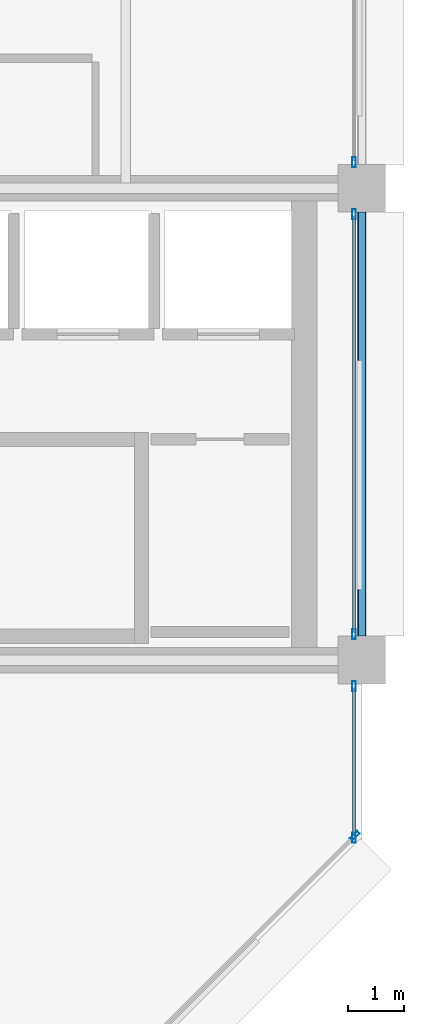
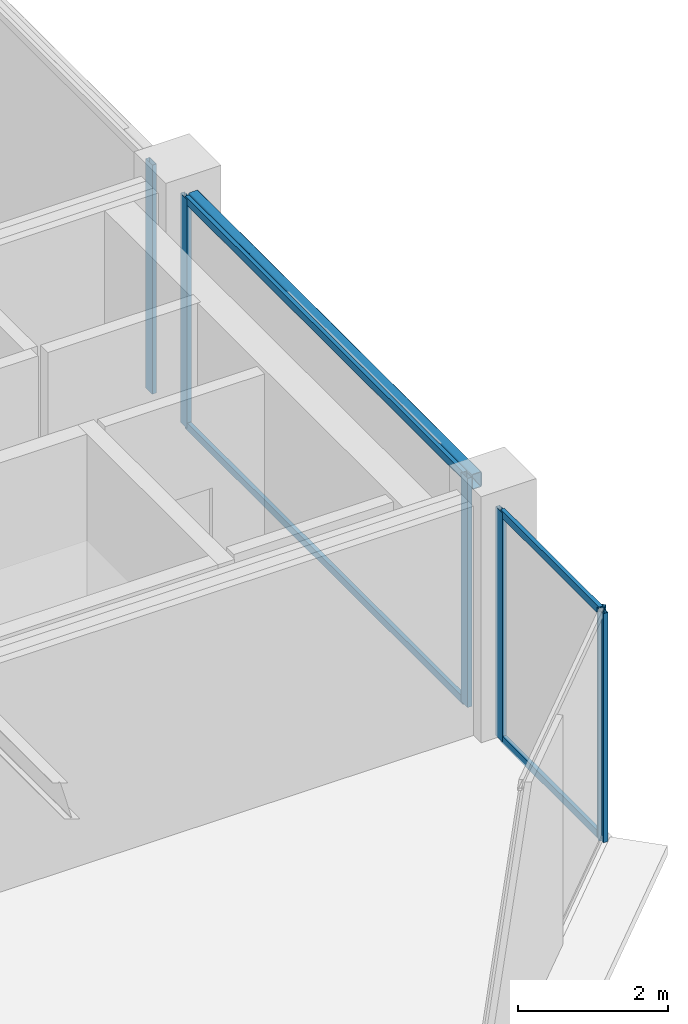
# One storey, part 14 of 25: 10 members, 1 beam, 4 elements without a shape of their own.
"""IFC4 building model written with IfcOpenShell, lengths in metres."""

from ifc_helpers import new_model, si_unit, direction, frame, origin, origin_2d, place, context, subcontext, project, spatial, hollow_rectangle, extrude, material, layer, layer_set, material_profile, profile_set, type_object, element, aggregate, save


model = new_model("IFC4")

# Units and contexts
model_context = context("Model", 3, precision=1e-05, world=origin(), true_north=direction((0.0, 1.0)))
body_context = subcontext(model_context, "Body", "Model", "MODEL_VIEW")
ifc_project = project(units=[si_unit("LENGTHUNIT", "METRE"), si_unit("AREAUNIT", "SQUARE_METRE"), si_unit("VOLUMEUNIT", "CUBIC_METRE"), si_unit("PLANEANGLEUNIT", "RADIAN"), si_unit("MASSUNIT", "GRAM", prefix="KILO")], contexts=[model_context])

# Site, building, storey
site_placement = place(None, origin())
site = spatial("IfcSite", under=ifc_project, at=site_placement, CompositionType="ELEMENT")
building_placement = place(site_placement, origin())
building = spatial("IfcBuilding", under=site, at=building_placement, Name="Nerrivon Quay Data Exchange", CompositionType="ELEMENT")
storey_placement = place(building_placement, frame((0.0, 0.0, 290.199951171875)))
storey = spatial("IfcBuildingStorey", under=building, at=storey_placement, Name="L69", CompositionType="ELEMENT", Elevation=290.199951171875)

# Beam
ifc_material_1 = material(Name="Steel Grade C350L0 (350 MPa)", Category="steel")
ifc_material_profile_1 = material_profile(ifc_material_1, hollow_rectangle(XDim=0.14990234375, YDim=0.25, WallThickness=0.009033203125, InnerFilletRadius=0.013427734375, OuterFilletRadius=0.0224609375, at=origin_2d()), Name="250x150x9.0RHS")
ifc_profile_set_1 = profile_set([ifc_material_profile_1], Name="Steel Grade C350L0 (350 MPa)")
beam_type = type_object("IfcBeamType", Name="BM-SP4-250x150RHS", PredefinedType="SPANDREL", material=ifc_profile_set_1)
beam_placement = place(storey_placement, frame((33.60009765625, 8.824951171875, 3.60009765625), z_axis=(0.0, 1.0, 0.0), x_axis=(-1.0, 0.0, 0.0)))
element("IfcBeam", 1, at=beam_placement, inside=storey, type_object=beam_type, Name="L69 NS Girder X=33.6 (8.4..16.8)", PredefinedType="SPANDREL", context=body_context, shape_type="SweptSolid", body=[
    extrude(hollow_rectangle(XDim=0.14990234375, YDim=0.25, WallThickness=0.009033203125, InnerFilletRadius=0.013427734375, OuterFilletRadius=0.0224609375, at=origin_2d()), origin(), (0.0, 0.0, 1.0), 7.550048828125),
])

# Curtain wall, member
ifc_material_2 = material(Name="Anodised aluminium 6063-T6", Category="aluminium")
ifc_layer = layer(ifc_material_2, 0.195068359375)
ifc_layer_set = layer_set([ifc_layer], Name="Anodised aluminium 6063-T6")
curtain_wall_type = type_object("IfcCurtainWallType", Name="CW-SYS-06", PredefinedType="NOTDEFINED", material=ifc_layer_set)
curtain_wall_1_placement = place(storey_placement, origin())
curtain_wall_1 = element("IfcCurtainWall", 2, at=curtain_wall_1_placement, inside=storey, type_object=curtain_wall_type, Name="L69 Unitised Curtain Wall 1", PredefinedType="NOTDEFINED")
ifc_material_profile_2 = material_profile(ifc_material_2, hollow_rectangle(XDim=0.06494140625, YDim=0.179931640625, WallThickness=0.00341796875, at=origin_2d()), Name="ALU-MULL-180x65")
ifc_profile_set_2 = profile_set([ifc_material_profile_2], Name="Anodised aluminium 6063-T6")
member_type_1 = type_object("IfcMemberType", Name="CWM-180x65", PredefinedType="MULLION", material=ifc_profile_set_2)
member_1_placement = place(storey_placement, frame((33.474365234375, 5.2724609375, 0.0), z_axis=(0.0, 0.0, 1.0), x_axis=(0.707106781187, -0.707106781187, 0.0)))
member_1 = element("IfcMember", 3, at=member_1_placement, type_object=member_type_1, Name="CW06 mullion 1", PredefinedType="MULLION", context=body_context, shape_type="SweptSolid", body=[
    extrude(hollow_rectangle(XDim=0.06494140625, YDim=0.179931640625, WallThickness=0.00341796875, at=origin_2d()), origin(), (0.0, 0.0, 1.0), 3.72509765625),
])
aggregate(curtain_wall_1, [member_1])

curtain_wall_2_placement = place(storey_placement, origin())
curtain_wall_2 = element("IfcCurtainWall", 4, at=curtain_wall_2_placement, inside=storey, type_object=curtain_wall_type, Name="L69 Unitised Curtain Wall 22", PredefinedType="NOTDEFINED")
member_2_placement = place(storey_placement, frame((33.4599609375, 17.262451171875, 0.0), z_axis=(0.0, 0.0, 1.0), x_axis=(1.0, 0.0, 0.0)))
member_2 = element("IfcMember", 5, at=member_2_placement, type_object=member_type_1, Name="CW06 mullion 2", PredefinedType="MULLION", context=body_context, shape_type="SweptSolid", body=[
    extrude(hollow_rectangle(XDim=0.06494140625, YDim=0.179931640625, WallThickness=0.00341796875, at=origin_2d()), origin(), (0.0, 0.0, 1.0), 3.72509765625),
])
aggregate(curtain_wall_2, [member_2])

# Curtain wall, members
curtain_wall_3_placement = place(storey_placement, origin())
curtain_wall_3 = element("IfcCurtainWall", 6, at=curtain_wall_3_placement, inside=storey, type_object=curtain_wall_type, Name="L69 Unitised Curtain Wall 23", PredefinedType="NOTDEFINED")
member_3_placement = place(storey_placement, frame((33.4599609375, 16.33740234375, 0.0), z_axis=(0.0, 0.0, 1.0), x_axis=(1.0, 0.0, 0.0)))
member_3 = element("IfcMember", 7, at=member_3_placement, type_object=member_type_1, Name="CW06 mullion 1", PredefinedType="MULLION", context=body_context, shape_type="SweptSolid", body=[
    extrude(hollow_rectangle(XDim=0.06494140625, YDim=0.179931640625, WallThickness=0.00341796875, at=origin_2d()), origin(), (0.0, 0.0, 1.0), 3.72509765625),
])
member_4_placement = place(storey_placement, frame((33.4599609375, 8.862548828125, 0.0), z_axis=(0.0, 0.0, 1.0), x_axis=(1.0, 0.0, 0.0)))
member_4 = element("IfcMember", 8, at=member_4_placement, type_object=member_type_1, Name="CW06 mullion 2", PredefinedType="MULLION", context=body_context, shape_type="SweptSolid", body=[
    extrude(hollow_rectangle(XDim=0.06494140625, YDim=0.179931640625, WallThickness=0.00341796875, at=origin_2d()), origin(), (0.0, 0.0, 1.0), 3.72509765625),
])

curtain_wall_4_placement = place(storey_placement, origin())
curtain_wall_4 = element("IfcCurtainWall", 9, at=curtain_wall_4_placement, inside=storey, type_object=curtain_wall_type, Name="L69 Unitised Curtain Wall 24", PredefinedType="NOTDEFINED")
member_5_placement = place(storey_placement, frame((33.4599609375, 7.9375, 0.0), z_axis=(0.0, 0.0, 1.0), x_axis=(1.0, 0.0, 0.0)))
member_5 = element("IfcMember", 10, at=member_5_placement, type_object=member_type_1, Name="CW06 mullion 1", PredefinedType="MULLION", context=body_context, shape_type="SweptSolid", body=[
    extrude(hollow_rectangle(XDim=0.06494140625, YDim=0.179931640625, WallThickness=0.00341796875, at=origin_2d()), origin(), (0.0, 0.0, 1.0), 3.72509765625),
])
member_6_placement = place(storey_placement, frame((33.4599609375, 5.237548828125, 0.0), z_axis=(0.0, 0.0, 1.0), x_axis=(1.0, 0.0, 0.0)))
member_6 = element("IfcMember", 11, at=member_6_placement, type_object=member_type_1, Name="CW06 mullion 2", PredefinedType="MULLION", context=body_context, shape_type="SweptSolid", body=[
    extrude(hollow_rectangle(XDim=0.06494140625, YDim=0.179931640625, WallThickness=0.00341796875, at=origin_2d()), origin(), (0.0, 0.0, 1.0), 3.72509765625),
])

# Member
ifc_material_profile_3 = material_profile(ifc_material_2, hollow_rectangle(XDim=0.06005859375, YDim=0.1201171875, WallThickness=0.003173828125, at=origin_2d()), Name="ALU-TRAN-120x60")
ifc_profile_set_3 = profile_set([ifc_material_profile_3], Name="Anodised aluminium 6063-T6")
member_type_2 = type_object("IfcMemberType", Name="CWT-120x60", PredefinedType="USERDEFINED", material=ifc_profile_set_3)
member_7_placement = place(storey_placement, frame((33.4599609375, 16.300048828125, 0.032470703125), z_axis=(0.0, -1.0, 0.0), x_axis=(1.0, 0.0, 0.0)))
member_7 = element("IfcMember", 12, at=member_7_placement, type_object=member_type_2, Name="CW06 transom 1.1", ObjectType="TRANSOM", PredefinedType="USERDEFINED", context=body_context, shape_type="SweptSolid", body=[
    extrude(hollow_rectangle(XDim=0.06005859375, YDim=0.1201171875, WallThickness=0.003173828125, at=origin_2d()), origin(), (0.0, 0.0, 1.0), 7.400146484375),
])

member_8_placement = place(storey_placement, frame((33.4599609375, 16.300048828125, 3.692626953125), z_axis=(0.0, -1.0, 0.0), x_axis=(1.0, 0.0, 0.0)))
member_8 = element("IfcMember", 13, at=member_8_placement, type_object=member_type_2, Name="CW06 transom 1.2", ObjectType="TRANSOM", PredefinedType="USERDEFINED", context=body_context, shape_type="SweptSolid", body=[
    extrude(hollow_rectangle(XDim=0.06005859375, YDim=0.1201171875, WallThickness=0.003173828125, at=origin_2d()), origin(), (0.0, 0.0, 1.0), 7.400146484375),
])

aggregate(curtain_wall_3, [member_3, member_4, member_7, member_8])

member_9_placement = place(storey_placement, frame((33.4599609375, 7.89990234375, 0.032470703125), z_axis=(0.0, -1.0, 0.0), x_axis=(1.0, 0.0, 0.0)))
member_9 = element("IfcMember", 14, at=member_9_placement, type_object=member_type_2, Name="CW06 transom 1.1", ObjectType="TRANSOM", PredefinedType="USERDEFINED", context=body_context, shape_type="SweptSolid", body=[
    extrude(hollow_rectangle(XDim=0.06005859375, YDim=0.1201171875, WallThickness=0.003173828125, at=origin_2d()), origin(), (0.0, 0.0, 1.0), 2.625),
])

member_10_placement = place(storey_placement, frame((33.4599609375, 7.89990234375, 3.692626953125), z_axis=(0.0, -1.0, 0.0), x_axis=(1.0, 0.0, 0.0)))
member_10 = element("IfcMember", 15, at=member_10_placement, type_object=member_type_2, Name="CW06 transom 1.2", ObjectType="TRANSOM", PredefinedType="USERDEFINED", context=body_context, shape_type="SweptSolid", body=[
    extrude(hollow_rectangle(XDim=0.06005859375, YDim=0.1201171875, WallThickness=0.003173828125, at=origin_2d()), origin(), (0.0, 0.0, 1.0), 2.625),
])

aggregate(curtain_wall_4, [member_5, member_6, member_9, member_10])

save(model, "model.ifc")
